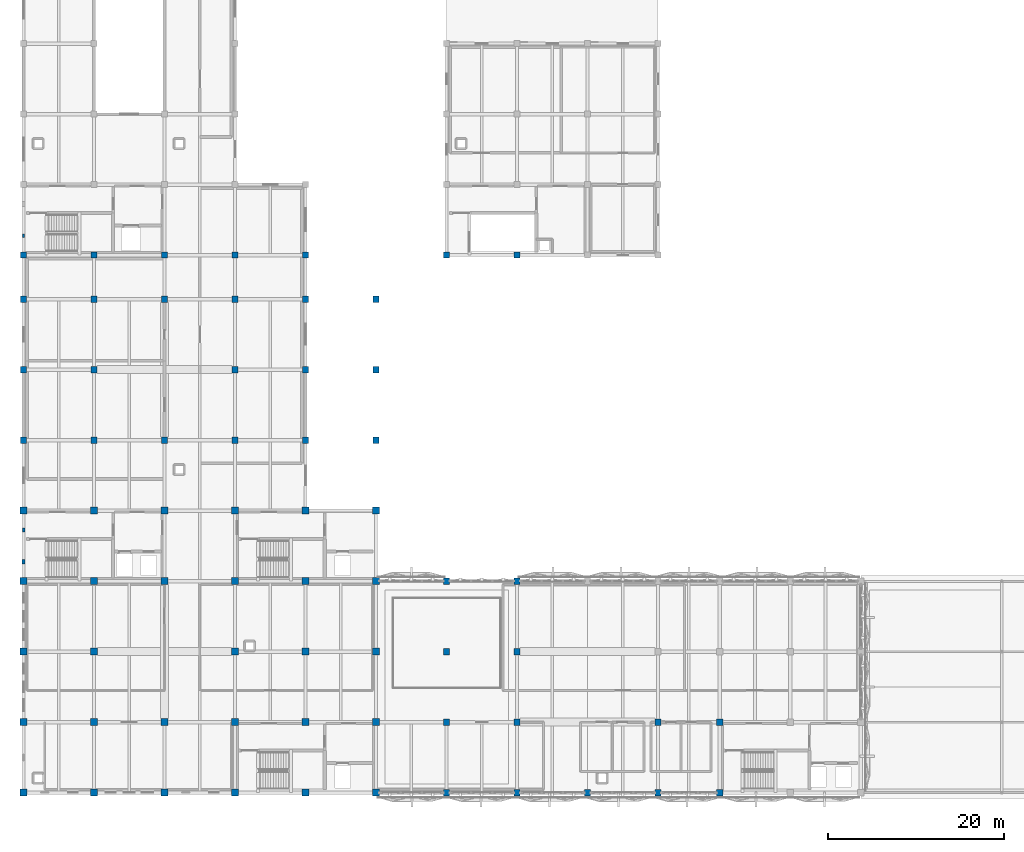
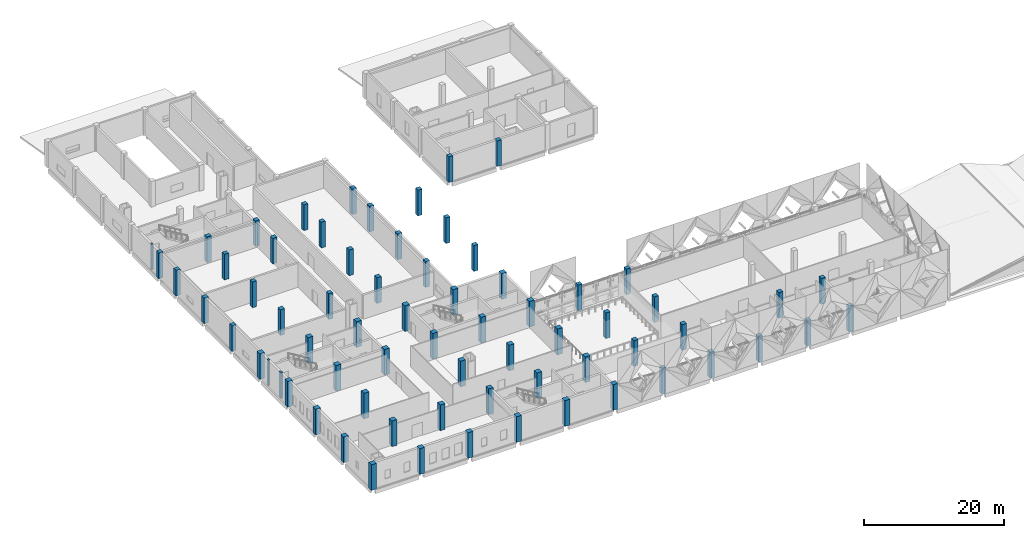
# One storey, part 1 of 37: 69 columns.
"""IFC4 building model written with IfcOpenShell, lengths in metres."""

import ifcopenshell
import ifcopenshell.guid

model = None  # the IFC model being written
_history = None  # IfcOwnerHistory: only IFC2X3 demands one
_inside = {}  # id of a spatial element -> (the spatial element, [elements in it])
_under = {}  # id of a project, library or spatial element -> (it, [spatial elements below it])
_declared = {}  # id of a project -> (the project, [libraries it declares])
_typed = {}  # id of a type object -> (the type object, [elements of that type])
_made_of = {}  # id of a material, layer set ... -> (it, [elements and type objects made of it])


def new_model(schema):
    """Start an empty IFC model of exactly this schema.

    Asked for "IFC4X3", IfcOpenShell would pick the latest addendum, in which some entities
    have other attributes; the version numbers below select the first issue.
    IFC2X3 requires an IfcOwnerHistory on every rooted entity: one is made here for all.
    """
    global model, _history
    if schema == "IFC4X3":
        model = ifcopenshell.file(schema_version=(4, 3, 0, 0))
    else:
        model = ifcopenshell.file(schema=schema)
    _inside.clear()
    _under.clear()
    _declared.clear()
    _typed.clear()
    _made_of.clear()
    _history = None
    if model.schema == "IFC2X3":
        org = make("IfcOrganization", Name="unknown")
        user = make(
            "IfcPersonAndOrganization",
            ThePerson=make("IfcPerson", FamilyName="unknown"),
            TheOrganization=org,
        )
        app = make(
            "IfcApplication",
            ApplicationDeveloper=org,
            Version="unknown",
            ApplicationFullName="unknown",
            ApplicationIdentifier="unknown",
        )
        _history = make(
            "IfcOwnerHistory",
            OwningUser=user,
            OwningApplication=app,
            ChangeAction="ADDED",
            CreationDate=0,
        )
    return model


def make(cls, **values):
    """One entity of the class cls with the attributes given. An attribute that is None is left unset."""
    return model.create_entity(
        cls, **{name: value for name, value in values.items() if value is not None}
    )


def rooted(cls, **values):
    """An entity with a GlobalId (a new one), such as an element, a storey or a relation."""
    return make(cls, GlobalId=ifcopenshell.guid.new(), OwnerHistory=_history, **values)


def si_unit(unit_type, name, prefix=None):
    """IfcSIUnit, for example si_unit("LENGTHUNIT", "METRE", prefix="MILLI")."""
    return make("IfcSIUnit", UnitType=unit_type, Prefix=prefix, Name=name)


def assignment(units):
    """IfcUnitAssignment: the units of a project."""
    return None if units is None else make("IfcUnitAssignment", Units=units)


def point(xyz):
    """IfcCartesianPoint."""
    return None if xyz is None else make("IfcCartesianPoint", Coordinates=xyz)


def direction(xyz):
    """IfcDirection."""
    return None if xyz is None else make("IfcDirection", DirectionRatios=xyz)


def frame(location, z_axis=None, x_axis=None):
    """IfcAxis2Placement3D, a coordinate frame: its origin and axes. An axis left out is left unset."""
    return make(
        "IfcAxis2Placement3D",
        Location=point(location),
        Axis=direction(z_axis),
        RefDirection=direction(x_axis),
    )


def frame_2d(location, x_axis=None):
    """IfcAxis2Placement2D, a coordinate frame in the plane: its origin and x axis."""
    return make(
        "IfcAxis2Placement2D", Location=point(location), RefDirection=direction(x_axis)
    )


def origin():
    """The frame at (0, 0, 0) with its axes left unset."""
    return frame((0.0, 0.0, 0.0))


def origin_2d():
    """The frame at (0, 0) in the plane with its x axis left unset."""
    return frame_2d((0.0, 0.0))


def place(relative_to, where):
    """IfcLocalPlacement: puts the frame where relative to a parent placement (None: the world)."""
    return make(
        "IfcLocalPlacement", PlacementRelTo=relative_to, RelativePlacement=where
    )


def context(
    kind, dimensions, precision=None, world=None, true_north=None, identifier=None
):
    """IfcGeometricRepresentationContext, for example the 3D "Model" context."""
    return make(
        "IfcGeometricRepresentationContext",
        ContextIdentifier=identifier,
        ContextType=kind,
        CoordinateSpaceDimension=dimensions,
        Precision=precision,
        WorldCoordinateSystem=world,
        TrueNorth=true_north,
    )


def subcontext(parent, identifier, kind, view, scale=None):
    """IfcGeometricRepresentationSubContext, for example "Body" below "Model"."""
    return make(
        "IfcGeometricRepresentationSubContext",
        ContextIdentifier=identifier,
        ContextType=kind,
        ParentContext=parent,
        TargetScale=scale,
        TargetView=view,
    )


def project(units=None, contexts=None):
    """IfcProject with its units and contexts."""
    return rooted(
        "IfcProject",
        Name="project",
        RepresentationContexts=contexts,
        UnitsInContext=assignment(units),
    )


def spatial(cls, under=None, at=None, **own):
    """A site, building, storey or space (cls), placed at a placement, below another one or the project."""
    s = rooted(cls, ObjectPlacement=at, **own)
    if under is not None:
        _under.setdefault(under.id(), (under, []))[1].append(s)
    return s


def profile(cls, at=None, kind="AREA", **sizes):
    """A parametric profile (cls). Its sizes go by their IFC names, for example OverallWidth=200.0."""
    return make(cls, ProfileType=kind, Position=at, **sizes)


def rectangle(**sizes):
    """IfcRectangleProfileDef."""
    return profile("IfcRectangleProfileDef", **sizes)


def extrude(swept, where, along, depth):
    """IfcExtrudedAreaSolid: the profile swept, set in the frame where, extruded along a direction by depth."""
    return make(
        "IfcExtrudedAreaSolid",
        SweptArea=swept,
        Position=where,
        ExtrudedDirection=direction(along),
        Depth=depth,
    )


def shape(context_of_items, identifier, shape_type, items):
    """IfcShapeRepresentation: the items that make up one representation, for example the "Body"."""
    return make(
        "IfcShapeRepresentation",
        ContextOfItems=context_of_items,
        RepresentationIdentifier=identifier,
        RepresentationType=shape_type,
        Items=items,
    )


def material(Name=None, Category=None):
    """IfcMaterial."""
    return make("IfcMaterial", Name=Name, Category=Category)


def material_profile(
    of_material, cross_section, Name=None, Category=None, Priority=None
):
    """IfcMaterialProfile: a cross section and its material."""
    return make(
        "IfcMaterialProfile",
        Name=Name,
        Material=of_material,
        Profile=cross_section,
        Priority=Priority,
        Category=Category,
    )


def profile_set(profiles, Name=None, composite=None):
    """IfcMaterialProfileSet."""
    return make(
        "IfcMaterialProfileSet",
        Name=Name,
        MaterialProfiles=profiles,
        CompositeProfile=composite,
    )


def made_of(thing, what):
    """Note that an element or type object is made of a material, layer set ...; save() writes the relation."""
    if what is not None:
        _made_of.setdefault(what.id(), (what, []))[1].append(thing)
    return thing


def type_object(cls, material=None, **own):
    """A type object (cls), such as IfcWallType, which elements share."""
    return made_of(rooted(cls, **own), material)


def element(
    cls,
    number,
    at=None,
    inside=None,
    cuts=None,
    type_object=None,
    material=None,
    context=None,
    identifier="Body",
    shape_type=None,
    held_by="IfcProductDefinitionShape",
    body=None,
    shapes=None,
    **own,
):
    """One element of the class cls, such as IfcWall. Its Tag is "e" and its number.

    at: its placement. inside: the storey or other place that contains it. cuts: it is an
    opening in that element (IfcRelVoidsElement). A single representation is given by context,
    identifier, shape_type and body (its items); several are given by shapes. held_by: the class
    of the entity that holds the representations. save() writes the other relations.
    """
    e = rooted(cls, Tag="e%d" % number, ObjectPlacement=at, **own)
    if body is not None:
        shapes = [shape(context, identifier, shape_type, body)]
    if shapes is not None:
        e.Representation = make(held_by, Representations=shapes)
    if inside is not None:
        _inside.setdefault(inside.id(), (inside, []))[1].append(e)
    if cuts is not None:
        rooted(
            "IfcRelVoidsElement", RelatingBuildingElement=cuts, RelatedOpeningElement=e
        )
    if type_object is not None:
        _typed.setdefault(type_object.id(), (type_object, []))[1].append(e)
    return made_of(e, material)


def aggregate(whole, parts):
    """IfcRelAggregates: a whole, such as a stair, and the parts it consists of."""
    return rooted("IfcRelAggregates", RelatingObject=whole, RelatedObjects=parts)


def save(model, path):
    """Write the relations noted so far, then the file.

    IfcRelAggregates (storeys below a building ...), IfcRelContainedInSpatialStructure (elements
    in a storey), IfcRelDefinesByType, IfcRelAssociatesMaterial and IfcRelDeclares: one each for
    every whole, place, type object, material and project.
    """
    for whole, parts in _under.values():
        aggregate(whole, parts)
    for where, things in _inside.values():
        rooted(
            "IfcRelContainedInSpatialStructure",
            RelatedElements=things,
            RelatingStructure=where,
        )
    for kind, things in _typed.values():
        rooted("IfcRelDefinesByType", RelatedObjects=things, RelatingType=kind)
    for what, things in _made_of.values():
        rooted("IfcRelAssociatesMaterial", RelatedObjects=things, RelatingMaterial=what)
    for by, libraries in _declared.values():
        rooted("IfcRelDeclares", RelatingContext=by, RelatedDefinitions=libraries)
    model.write(path)


model = new_model("IFC4")

# Units and contexts
model_context = context("Model", 3, precision=1e-05, world=origin(), true_north=direction((0.0, 1.0)))
body_context = subcontext(model_context, "Body", "Model", "MODEL_VIEW")
ifc_project = project(units=[si_unit("LENGTHUNIT", "METRE"), si_unit("AREAUNIT", "SQUARE_METRE"), si_unit("VOLUMEUNIT", "CUBIC_METRE"), si_unit("PLANEANGLEUNIT", "RADIAN"), si_unit("MASSUNIT", "GRAM", prefix="KILO")], contexts=[model_context])

# Site, building, storey
site_placement = place(None, origin())
site = spatial("IfcSite", under=ifc_project, at=site_placement, CompositionType="ELEMENT")
building_placement = place(site_placement, origin())
building = spatial("IfcBuilding", under=site, at=building_placement, Name="Qorikala Patio Media Centre", CompositionType="ELEMENT")
storey_placement = place(building_placement, frame((0.0, 0.0, 14.39990234375)))
storey = spatial("IfcBuildingStorey", under=building, at=storey_placement, Name="L03", CompositionType="ELEMENT", Elevation=14.39990234375)

# Columns
ifc_material_1 = material(Name="Comanche Granite and Concrete C35/45", Category="masonry")
ifc_material_profile_1 = material_profile(ifc_material_1, rectangle(XDim=0.3798828125, YDim=0.239990234375, at=origin_2d()), Name="PIL 380x240")
ifc_profile_set_1 = profile_set([ifc_material_profile_1], Name="Comanche Granite and Concrete C35/45")
column_type_1 = type_object("IfcColumnType", Name="PIL-380X240", PredefinedType="PILASTER", material=ifc_profile_set_1)
column_1_placement = place(storey_placement, frame((3.0, 66.199951171875, 0.0), z_axis=(0.0, 0.0, 1.0), x_axis=(0.0, 1.0, 0.0)))
element("IfcColumn", 1, at=column_1_placement, inside=storey, type_object=column_type_1, Name="L03 West Street Core Pilaster 011", PredefinedType="PILASTER", context=body_context, shape_type="SweptSolid", body=[
    extrude(rectangle(XDim=0.3798828125, YDim=0.239990234375, at=origin_2d()), origin(), (0.0, 0.0, 1.0), 4.5),
])
ifc_material_profile_2 = material_profile(ifc_material_1, rectangle(XDim=0.43994140625, YDim=0.280029296875, at=origin_2d()), Name="PIL 440x280")
ifc_profile_set_2 = profile_set([ifc_material_profile_2], Name="Comanche Granite and Concrete C35/45")
column_type_2 = type_object("IfcColumnType", Name="PIL-440X280", PredefinedType="PILASTER", material=ifc_profile_set_2)
column_2_placement = place(storey_placement, frame((3.0, 32.800048828125, 0.0), z_axis=(0.0, 0.0, 1.0), x_axis=(0.0, 1.0, 0.0)))
element("IfcColumn", 2, at=column_2_placement, inside=storey, type_object=column_type_2, Name="L03 West Street Core Pilaster 010", PredefinedType="PILASTER", context=body_context, shape_type="SweptSolid", body=[
    extrude(rectangle(XDim=0.43994140625, YDim=0.280029296875, at=origin_2d()), origin(), (0.0, 0.0, 1.0), 4.5),
])
ifc_material_profile_3 = material_profile(ifc_material_1, rectangle(XDim=0.52001953125, YDim=0.320068359375, at=origin_2d()), Name="PIL 520x320")
ifc_profile_set_3 = profile_set([ifc_material_profile_3], Name="Comanche Granite and Concrete C35/45")
column_type_3 = type_object("IfcColumnType", Name="PIL-520X320", PredefinedType="PILASTER", material=ifc_profile_set_3)
column_3_placement = place(storey_placement, frame((3.0, 29.199951171875, 0.0), z_axis=(0.0, 0.0, 1.0), x_axis=(0.0, 1.0, 0.0)))
element("IfcColumn", 3, at=column_3_placement, inside=storey, type_object=column_type_3, Name="L03 West Street Core Pilaster 009", PredefinedType="PILASTER", context=body_context, shape_type="SweptSolid", body=[
    extrude(rectangle(XDim=0.52001953125, YDim=0.320068359375, at=origin_2d()), origin(), (0.0, 0.0, 1.0), 4.5),
])
ifc_material_2 = material(Name="Concrete C35/45", Category="concrete")
ifc_material_profile_4 = material_profile(ifc_material_2, rectangle(XDim=0.699951171875, YDim=0.699951171875, at=origin_2d()), Name="RC 700x700")
ifc_profile_set_4 = profile_set([ifc_material_profile_4], Name="Concrete C35/45")
column_type_4 = type_object("IfcColumnType", Name="RC-COL-700-EXT", PredefinedType="COLUMN", material=ifc_profile_set_4)
for number, where, z_axis, x_axis, name in (
    (4, (3.0, 43.0, 0.0), (0.0, 0.0, 1.0), (1.0, 0.0, 0.0), "L03 Column (3,43)"),
    (5, (3.0, 51.0, 0.0), (0.0, 0.0, 1.0), (1.0, 0.0, 0.0), "L03 Column (3,51)"),
    (6, (3.0, 59.0, 0.0), (0.0, 0.0, 1.0), (1.0, 0.0, 0.0), "L03 Column (3,59)"),
    (7, (3.0, 64.0, 0.0), (0.0, 0.0, 1.0), (1.0, 0.0, 0.0), "L03 Column (3,64)"),
    (8, (35.0, 43.0, 0.0), (0.0, 0.0, 1.0), (1.0, 0.0, 0.0), "L03 Column (35,43)"),
    (9, (35.0, 51.0, 0.0), (0.0, 0.0, 1.0), (1.0, 0.0, 0.0), "L03 Column (35,51)"),
    (10, (35.0, 59.0, 0.0), (0.0, 0.0, 1.0), (1.0, 0.0, 0.0), "L03 Column (35,59)"),
    (11, (35.0, 64.0, 0.0), (0.0, 0.0, 1.0), (1.0, 0.0, 0.0), "L03 Column (35,64)"),
    (12, (43.0, 43.0, 0.0), (0.0, 0.0, 1.0), (1.0, 0.0, 0.0), "L03 Column (43,43)"),
    (13, (43.0, 51.0, 0.0), (0.0, 0.0, 1.0), (1.0, 0.0, 0.0), "L03 Column (43,51)"),
    (14, (43.0, 59.0, 0.0), (0.0, 0.0, 1.0), (1.0, 0.0, 0.0), "L03 Column (43,59)"),
    (15, (51.0, 3.0, 0.0), (0.0, 0.0, 1.0), (1.0, 0.0, 0.0), "L03 Column (51,3)"),
    (16, (51.0, 27.0, 0.0), (0.0, 0.0, 1.0), (1.0, 0.0, 0.0), "L03 Column (51,27)"),
    (17, (51.0, 64.0, 0.0), (0.0, 0.0, 1.0), (1.0, 0.0, 0.0), "L03 Column (51,64)"),
    (18, (59.0, 3.0, 0.0), (0.0, 0.0, 1.0), (1.0, 0.0, 0.0), "L03 Column (59,3)"),
    (19, (59.0, 27.0, 0.0), (0.0, 0.0, 1.0), (1.0, 0.0, 0.0), "L03 Column (59,27)"),
    (20, (59.0, 64.0, 0.0), (0.0, 0.0, 1.0), (1.0, 0.0, 0.0), "L03 Column (59,64)"),
    (21, (67.0, 3.0, 0.0), (0.0, 0.0, 1.0), (1.0, 0.0, 0.0), "L03 Column (67,3)"),
    (22, (75.0, 3.0, 0.0), (0.0, 0.0, 1.0), (1.0, 0.0, 0.0), "L03 Column (75,3)"),
    (23, (82.0, 3.0, 0.0), (0.0, 0.0, 1.0), (1.0, 0.0, 0.0), "L03 Column (82,3)"),
):
    element("IfcColumn", number, at=place(storey_placement, frame(where, z_axis=z_axis, x_axis=x_axis)), inside=storey, type_object=column_type_4, Name=name, PredefinedType="COLUMN", context=body_context, shape_type="SweptSolid", body=[
        extrude(rectangle(XDim=0.699951171875, YDim=0.699951171875, at=origin_2d()), origin(), (0.0, 0.0, 1.0), 4.5),
    ])
ifc_material_profile_5 = material_profile(ifc_material_2, rectangle(XDim=0.699951171875, YDim=0.699951171875, at=origin_2d()), Name="RC 700x700")
ifc_profile_set_5 = profile_set([ifc_material_profile_5], Name="Concrete C35/45")
column_type_5 = type_object("IfcColumnType", Name="RC-COL-700-INT", PredefinedType="COLUMN", material=ifc_profile_set_5)
for number, where, z_axis, x_axis, name in (
    (24, (11.0, 43.0, 0.0), (0.0, 0.0, 1.0), (1.0, 0.0, 0.0), "L03 Column (11,43)"),
    (25, (11.0, 51.0, 0.0), (0.0, 0.0, 1.0), (1.0, 0.0, 0.0), "L03 Column (11,51)"),
    (26, (11.0, 59.0, 0.0), (0.0, 0.0, 1.0), (1.0, 0.0, 0.0), "L03 Column (11,59)"),
    (27, (11.0, 64.0, 0.0), (0.0, 0.0, 1.0), (1.0, 0.0, 0.0), "L03 Column (11,64)"),
    (28, (19.0, 43.0, 0.0), (0.0, 0.0, 1.0), (1.0, 0.0, 0.0), "L03 Column (19,43)"),
    (29, (19.0, 59.0, 0.0), (0.0, 0.0, 1.0), (1.0, 0.0, 0.0), "L03 Column (19,59)"),
    (30, (19.0, 64.0, 0.0), (0.0, 0.0, 1.0), (1.0, 0.0, 0.0), "L03 Column (19,64)"),
    (31, (27.0, 43.0, 0.0), (0.0, 0.0, 1.0), (1.0, 0.0, 0.0), "L03 Column (27,43)"),
    (32, (27.0, 51.0, 0.0), (0.0, 0.0, 1.0), (1.0, 0.0, 0.0), "L03 Column (27,51)"),
    (33, (27.0, 59.0, 0.0), (0.0, 0.0, 1.0), (1.0, 0.0, 0.0), "L03 Column (27,59)"),
    (34, (27.0, 64.0, 0.0), (0.0, 0.0, 1.0), (1.0, 0.0, 0.0), "L03 Column (27,64)"),
    (35, (51.0, 11.0, 0.0), (0.0, 0.0, 1.0), (1.0, 0.0, 0.0), "L03 Column (51,11)"),
    (36, (51.0, 19.0, 0.0), (0.0, 0.0, 1.0), (1.0, 0.0, 0.0), "L03 Column (51,19)"),
    (37, (59.0, 11.0, 0.0), (0.0, 0.0, 1.0), (1.0, 0.0, 0.0), "L03 Column (59,11)"),
    (38, (59.0, 19.0, 0.0), (0.0, 0.0, 1.0), (1.0, 0.0, 0.0), "L03 Column (59,19)"),
    (39, (75.0, 11.0, 0.0), (0.0, 0.0, 1.0), (1.0, 0.0, 0.0), "L03 Column (75,11)"),
    (40, (82.0, 11.0, 0.0), (0.0, 0.0, 1.0), (1.0, 0.0, 0.0), "L03 Column (82,11)"),
):
    element("IfcColumn", number, at=place(storey_placement, frame(where, z_axis=z_axis, x_axis=x_axis)), inside=storey, type_object=column_type_5, Name=name, PredefinedType="COLUMN", context=body_context, shape_type="SweptSolid", body=[
        extrude(rectangle(XDim=0.699951171875, YDim=0.699951171875, at=origin_2d()), origin(), (0.0, 0.0, 1.0), 4.5),
    ])
ifc_material_profile_6 = material_profile(ifc_material_2, rectangle(XDim=0.800048828125, YDim=0.800048828125, at=origin_2d()), Name="RC 800x800")
ifc_profile_set_6 = profile_set([ifc_material_profile_6], Name="Concrete C35/45")
column_type_6 = type_object("IfcColumnType", Name="RC-COL-800-EXT", PredefinedType="COLUMN", material=ifc_profile_set_6)
for number, where, z_axis, x_axis, name in (
    (41, (3.0, 3.0, 0.0), (0.0, 0.0, 1.0), (1.0, 0.0, 0.0), "L03 Column (3,3)"),
    (42, (3.0, 11.0, 0.0), (0.0, 0.0, 1.0), (1.0, 0.0, 0.0), "L03 Column (3,11)"),
    (43, (3.0, 19.0, 0.0), (0.0, 0.0, 1.0), (1.0, 0.0, 0.0), "L03 Column (3,19)"),
    (44, (3.0, 27.0, 0.0), (0.0, 0.0, 1.0), (1.0, 0.0, 0.0), "L03 Column (3,27)"),
    (45, (3.0, 35.0, 0.0), (0.0, 0.0, 1.0), (1.0, 0.0, 0.0), "L03 Column (3,35)"),
    (46, (11.0, 3.0, 0.0), (0.0, 0.0, 1.0), (1.0, 0.0, 0.0), "L03 Column (11,3)"),
    (47, (19.0, 3.0, 0.0), (0.0, 0.0, 1.0), (1.0, 0.0, 0.0), "L03 Column (19,3)"),
    (48, (27.0, 3.0, 0.0), (0.0, 0.0, 1.0), (1.0, 0.0, 0.0), "L03 Column (27,3)"),
    (49, (35.0, 3.0, 0.0), (0.0, 0.0, 1.0), (1.0, 0.0, 0.0), "L03 Column (35,3)"),
    (50, (35.0, 35.0, 0.0), (0.0, 0.0, 1.0), (1.0, 0.0, 0.0), "L03 Column (35,35)"),
    (51, (43.0, 3.0, 0.0), (0.0, 0.0, 1.0), (1.0, 0.0, 0.0), "L03 Column (43,3)"),
    (52, (43.0, 27.0, 0.0), (0.0, 0.0, 1.0), (1.0, 0.0, 0.0), "L03 Column (43,27)"),
    (53, (43.0, 35.0, 0.0), (0.0, 0.0, 1.0), (1.0, 0.0, 0.0), "L03 Column (43,35)"),
):
    element("IfcColumn", number, at=place(storey_placement, frame(where, z_axis=z_axis, x_axis=x_axis)), inside=storey, type_object=column_type_6, Name=name, PredefinedType="COLUMN", context=body_context, shape_type="SweptSolid", body=[
        extrude(rectangle(XDim=0.800048828125, YDim=0.800048828125, at=origin_2d()), origin(), (0.0, 0.0, 1.0), 4.5),
    ])
ifc_material_profile_7 = material_profile(ifc_material_2, rectangle(XDim=0.800048828125, YDim=0.800048828125, at=origin_2d()), Name="RC 800x800")
ifc_profile_set_7 = profile_set([ifc_material_profile_7], Name="Concrete C35/45")
column_type_7 = type_object("IfcColumnType", Name="RC-COL-800-INT", PredefinedType="COLUMN", material=ifc_profile_set_7)
for number, where, z_axis, x_axis, name in (
    (54, (11.0, 11.0, 0.0), (0.0, 0.0, 1.0), (1.0, 0.0, 0.0), "L03 Column (11,11)"),
    (55, (11.0, 19.0, 0.0), (0.0, 0.0, 1.0), (1.0, 0.0, 0.0), "L03 Column (11,19)"),
    (56, (11.0, 27.0, 0.0), (0.0, 0.0, 1.0), (1.0, 0.0, 0.0), "L03 Column (11,27)"),
    (57, (11.0, 35.0, 0.0), (0.0, 0.0, 1.0), (1.0, 0.0, 0.0), "L03 Column (11,35)"),
    (58, (19.0, 11.0, 0.0), (0.0, 0.0, 1.0), (1.0, 0.0, 0.0), "L03 Column (19,11)"),
    (59, (19.0, 27.0, 0.0), (0.0, 0.0, 1.0), (1.0, 0.0, 0.0), "L03 Column (19,27)"),
    (60, (19.0, 35.0, 0.0), (0.0, 0.0, 1.0), (1.0, 0.0, 0.0), "L03 Column (19,35)"),
    (61, (27.0, 11.0, 0.0), (0.0, 0.0, 1.0), (1.0, 0.0, 0.0), "L03 Column (27,11)"),
    (62, (27.0, 19.0, 0.0), (0.0, 0.0, 1.0), (1.0, 0.0, 0.0), "L03 Column (27,19)"),
    (63, (27.0, 27.0, 0.0), (0.0, 0.0, 1.0), (1.0, 0.0, 0.0), "L03 Column (27,27)"),
    (64, (27.0, 35.0, 0.0), (0.0, 0.0, 1.0), (1.0, 0.0, 0.0), "L03 Column (27,35)"),
    (65, (35.0, 11.0, 0.0), (0.0, 0.0, 1.0), (1.0, 0.0, 0.0), "L03 Column (35,11)"),
    (66, (35.0, 19.0, 0.0), (0.0, 0.0, 1.0), (1.0, 0.0, 0.0), "L03 Column (35,19)"),
    (67, (35.0, 27.0, 0.0), (0.0, 0.0, 1.0), (1.0, 0.0, 0.0), "L03 Column (35,27)"),
    (68, (43.0, 11.0, 0.0), (0.0, 0.0, 1.0), (1.0, 0.0, 0.0), "L03 Column (43,11)"),
    (69, (43.0, 19.0, 0.0), (0.0, 0.0, 1.0), (1.0, 0.0, 0.0), "L03 Column (43,19)"),
):
    element("IfcColumn", number, at=place(storey_placement, frame(where, z_axis=z_axis, x_axis=x_axis)), inside=storey, type_object=column_type_7, Name=name, PredefinedType="COLUMN", context=body_context, shape_type="SweptSolid", body=[
        extrude(rectangle(XDim=0.800048828125, YDim=0.800048828125, at=origin_2d()), origin(), (0.0, 0.0, 1.0), 4.5),
    ])

save(model, "model.ifc")
